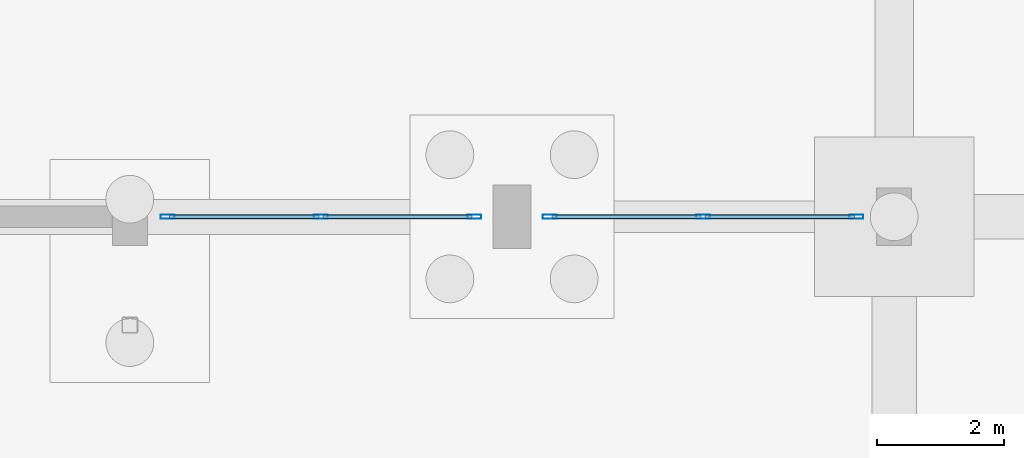
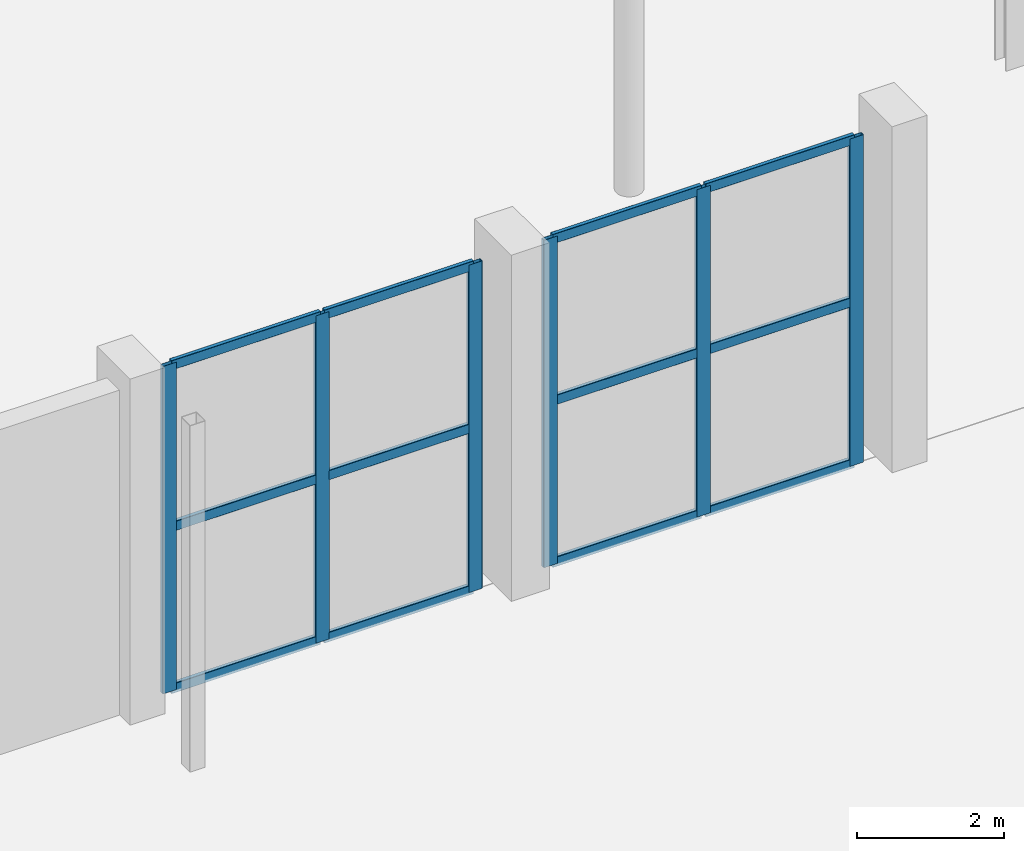
# One storey, part 47 of 103: 18 members, 2 elements without a shape of their own.
"""IFC4 building model written with IfcOpenShell, lengths in metres."""

from ifc_helpers import new_model, si_unit, direction, frame, origin, origin_2d, place, context, subcontext, project, spatial, hollow_rectangle, extrude, material, layer, layer_set, material_profile, profile_set, type_object, element, aggregate, save


model = new_model("IFC4")

# Units and contexts
model_context = context("Model", 3, precision=1e-05, world=origin(), true_north=direction((0.0, 1.0)))
body_context = subcontext(model_context, "Body", "Model", "MODEL_VIEW")
ifc_project = project(units=[si_unit("LENGTHUNIT", "METRE"), si_unit("AREAUNIT", "SQUARE_METRE"), si_unit("VOLUMEUNIT", "CUBIC_METRE"), si_unit("PLANEANGLEUNIT", "RADIAN"), si_unit("MASSUNIT", "GRAM", prefix="KILO")], contexts=[model_context])

# Site, building, storey
site_placement = place(None, origin())
site = spatial("IfcSite", under=ifc_project, at=site_placement, CompositionType="ELEMENT")
building_placement = place(site_placement, origin())
building = spatial("IfcBuilding", under=site, at=building_placement, Name="Dunvalen Ferry Terminal", CompositionType="ELEMENT")
storey_placement = place(building_placement, origin())
storey = spatial("IfcBuildingStorey", under=building, at=storey_placement, Name="L00", CompositionType="ELEMENT", Elevation=0.0)

# Curtain wall, members
ifc_material_1 = material(Name="Anodised marine aluminium and solar-control glazing", Category="aluminium")
ifc_layer = layer(ifc_material_1, 0.219970703125, Name="Anodised marine aluminium and solar-control glazing")
ifc_layer_set = layer_set([ifc_layer], Name="Anodised marine aluminium and solar-control glazing")
curtain_wall_type = type_object("IfcCurtainWallType", Name="ENV-CW-SYS-01", PredefinedType="NOTDEFINED", material=ifc_layer_set)
curtain_wall_1_placement = place(storey_placement, origin())
curtain_wall_1 = element("IfcCurtainWall", 1, at=curtain_wall_1_placement, inside=storey, type_object=curtain_wall_type, Name="L00 Curtain Wall CW-V1S-L00-06", PredefinedType="NOTDEFINED")
ifc_material_2 = material(Name="Anodised marine aluminium EN AW-6063 T6", Category="aluminium")
ifc_material_profile_1 = material_profile(ifc_material_2, hollow_rectangle(XDim=0.06494140625, YDim=0.219970703125, WallThickness=0.00390625, InnerFilletRadius=0.00390625, OuterFilletRadius=0.008056640625, at=origin_2d()), Name="Anodised marine aluminium EN AW-6063 T6")
ifc_profile_set_1 = profile_set([ifc_material_profile_1], Name="Anodised marine aluminium EN AW-6063 T6")
member_type_1 = type_object("IfcMemberType", Name="ENV-CW-MUL-1", PredefinedType="MULLION", material=ifc_profile_set_1)
member_1_placement = place(storey_placement, frame((66.592529296875, 50.39990234375, 0.0), z_axis=(0.0, 0.0, 1.0), x_axis=(0.0, 1.0, 0.0)))
member_1 = element("IfcMember", 2, at=member_1_placement, type_object=member_type_1, Name="CW-01 mullion 1", PredefinedType="MULLION", context=body_context, shape_type="SweptSolid", body=[
    extrude(hollow_rectangle(XDim=0.06494140625, YDim=0.219970703125, WallThickness=0.00390625, InnerFilletRadius=0.00390625, OuterFilletRadius=0.008056640625, at=origin_2d()), origin(), (0.0, 0.0, 1.0), 5.449951171875),
])
member_2_placement = place(storey_placement, frame((69.0, 50.39990234375, 0.0), z_axis=(0.0, 0.0, 1.0), x_axis=(0.0, 1.0, 0.0)))
member_2 = element("IfcMember", 3, at=member_2_placement, type_object=member_type_1, Name="CW-01 mullion 2", PredefinedType="MULLION", context=body_context, shape_type="SweptSolid", body=[
    extrude(hollow_rectangle(XDim=0.06494140625, YDim=0.219970703125, WallThickness=0.00390625, InnerFilletRadius=0.00390625, OuterFilletRadius=0.008056640625, at=origin_2d()), origin(), (0.0, 0.0, 1.0), 5.449951171875),
])
member_3_placement = place(storey_placement, frame((71.407470703125, 50.39990234375, 0.0), z_axis=(0.0, 0.0, 1.0), x_axis=(0.0, 1.0, 0.0)))
member_3 = element("IfcMember", 4, at=member_3_placement, type_object=member_type_1, Name="CW-01 mullion 3", PredefinedType="MULLION", context=body_context, shape_type="SweptSolid", body=[
    extrude(hollow_rectangle(XDim=0.06494140625, YDim=0.219970703125, WallThickness=0.00390625, InnerFilletRadius=0.00390625, OuterFilletRadius=0.008056640625, at=origin_2d()), origin(), (0.0, 0.0, 1.0), 5.449951171875),
])

curtain_wall_2_placement = place(storey_placement, origin())
curtain_wall_2 = element("IfcCurtainWall", 5, at=curtain_wall_2_placement, inside=storey, type_object=curtain_wall_type, Name="L00 Curtain Wall CW-V1S-L00-07", PredefinedType="NOTDEFINED")
member_4_placement = place(storey_placement, frame((72.592529296875, 50.39990234375, 0.0), z_axis=(0.0, 0.0, 1.0), x_axis=(0.0, 1.0, 0.0)))
member_4 = element("IfcMember", 6, at=member_4_placement, type_object=member_type_1, Name="CW-01 mullion 1", PredefinedType="MULLION", context=body_context, shape_type="SweptSolid", body=[
    extrude(hollow_rectangle(XDim=0.06494140625, YDim=0.219970703125, WallThickness=0.00390625, InnerFilletRadius=0.00390625, OuterFilletRadius=0.008056640625, at=origin_2d()), origin(), (0.0, 0.0, 1.0), 5.449951171875),
])
member_5_placement = place(storey_placement, frame((75.0, 50.39990234375, 0.0), z_axis=(0.0, 0.0, 1.0), x_axis=(0.0, 1.0, 0.0)))
member_5 = element("IfcMember", 7, at=member_5_placement, type_object=member_type_1, Name="CW-01 mullion 2", PredefinedType="MULLION", context=body_context, shape_type="SweptSolid", body=[
    extrude(hollow_rectangle(XDim=0.06494140625, YDim=0.219970703125, WallThickness=0.00390625, InnerFilletRadius=0.00390625, OuterFilletRadius=0.008056640625, at=origin_2d()), origin(), (0.0, 0.0, 1.0), 5.449951171875),
])
member_6_placement = place(storey_placement, frame((77.407470703125, 50.39990234375, 0.0), z_axis=(0.0, 0.0, 1.0), x_axis=(0.0, 1.0, 0.0)))
member_6 = element("IfcMember", 8, at=member_6_placement, type_object=member_type_1, Name="CW-01 mullion 3", PredefinedType="MULLION", context=body_context, shape_type="SweptSolid", body=[
    extrude(hollow_rectangle(XDim=0.06494140625, YDim=0.219970703125, WallThickness=0.00390625, InnerFilletRadius=0.00390625, OuterFilletRadius=0.008056640625, at=origin_2d()), origin(), (0.0, 0.0, 1.0), 5.449951171875),
])

# Member
ifc_material_profile_2 = material_profile(ifc_material_2, hollow_rectangle(XDim=0.06494140625, YDim=0.159912109375, WallThickness=0.00341796875, InnerFilletRadius=0.00341796875, OuterFilletRadius=0.007080078125, at=origin_2d()), Name="Anodised marine aluminium EN AW-6063 T6")
ifc_profile_set_2 = profile_set([ifc_material_profile_2], Name="Anodised marine aluminium EN AW-6063 T6")
member_type_2 = type_object("IfcMemberType", Name="ENV-CW-TRN-1", PredefinedType="USERDEFINED", material=ifc_profile_set_2)
member_7_placement = place(storey_placement, frame((66.625, 50.39990234375, 0.032470703125), z_axis=(1.0, 0.0, 0.0), x_axis=(0.0, 1.0, 0.0)))
member_7 = element("IfcMember", 9, at=member_7_placement, type_object=member_type_2, Name="CW-01 transom 1.1", ObjectType="TRANSOM", PredefinedType="USERDEFINED", context=body_context, shape_type="SweptSolid", body=[
    extrude(hollow_rectangle(XDim=0.06494140625, YDim=0.159912109375, WallThickness=0.00341796875, InnerFilletRadius=0.00341796875, OuterFilletRadius=0.007080078125, at=origin_2d()), origin(), (0.0, 0.0, 1.0), 2.342529296875),
])

member_8_placement = place(storey_placement, frame((66.625, 50.39990234375, 2.72509765625), z_axis=(1.0, 0.0, 0.0), x_axis=(0.0, 1.0, 0.0)))
member_8 = element("IfcMember", 10, at=member_8_placement, type_object=member_type_2, Name="CW-01 transom 1.2", ObjectType="TRANSOM", PredefinedType="USERDEFINED", context=body_context, shape_type="SweptSolid", body=[
    extrude(hollow_rectangle(XDim=0.06494140625, YDim=0.159912109375, WallThickness=0.00341796875, InnerFilletRadius=0.00341796875, OuterFilletRadius=0.007080078125, at=origin_2d()), origin(), (0.0, 0.0, 1.0), 2.342529296875),
])

member_9_placement = place(storey_placement, frame((66.625, 50.39990234375, 5.41748046875), z_axis=(1.0, 0.0, 0.0), x_axis=(0.0, 1.0, 0.0)))
member_9 = element("IfcMember", 11, at=member_9_placement, type_object=member_type_2, Name="CW-01 transom 1.3", ObjectType="TRANSOM", PredefinedType="USERDEFINED", context=body_context, shape_type="SweptSolid", body=[
    extrude(hollow_rectangle(XDim=0.06494140625, YDim=0.159912109375, WallThickness=0.00341796875, InnerFilletRadius=0.00341796875, OuterFilletRadius=0.007080078125, at=origin_2d()), origin(), (0.0, 0.0, 1.0), 2.342529296875),
])

member_10_placement = place(storey_placement, frame((69.032470703125, 50.39990234375, 0.032470703125), z_axis=(1.0, 0.0, 0.0), x_axis=(0.0, 1.0, 0.0)))
member_10 = element("IfcMember", 12, at=member_10_placement, type_object=member_type_2, Name="CW-01 transom 2.1", ObjectType="TRANSOM", PredefinedType="USERDEFINED", context=body_context, shape_type="SweptSolid", body=[
    extrude(hollow_rectangle(XDim=0.06494140625, YDim=0.159912109375, WallThickness=0.00341796875, InnerFilletRadius=0.00341796875, OuterFilletRadius=0.007080078125, at=origin_2d()), origin(), (0.0, 0.0, 1.0), 2.342529296875),
])

member_11_placement = place(storey_placement, frame((69.032470703125, 50.39990234375, 2.72509765625), z_axis=(1.0, 0.0, 0.0), x_axis=(0.0, 1.0, 0.0)))
member_11 = element("IfcMember", 13, at=member_11_placement, type_object=member_type_2, Name="CW-01 transom 2.2", ObjectType="TRANSOM", PredefinedType="USERDEFINED", context=body_context, shape_type="SweptSolid", body=[
    extrude(hollow_rectangle(XDim=0.06494140625, YDim=0.159912109375, WallThickness=0.00341796875, InnerFilletRadius=0.00341796875, OuterFilletRadius=0.007080078125, at=origin_2d()), origin(), (0.0, 0.0, 1.0), 2.342529296875),
])

member_12_placement = place(storey_placement, frame((69.032470703125, 50.39990234375, 5.41748046875), z_axis=(1.0, 0.0, 0.0), x_axis=(0.0, 1.0, 0.0)))
member_12 = element("IfcMember", 14, at=member_12_placement, type_object=member_type_2, Name="CW-01 transom 2.3", ObjectType="TRANSOM", PredefinedType="USERDEFINED", context=body_context, shape_type="SweptSolid", body=[
    extrude(hollow_rectangle(XDim=0.06494140625, YDim=0.159912109375, WallThickness=0.00341796875, InnerFilletRadius=0.00341796875, OuterFilletRadius=0.007080078125, at=origin_2d()), origin(), (0.0, 0.0, 1.0), 2.342529296875),
])

aggregate(curtain_wall_1, [member_1, member_2, member_3, member_7, member_8, member_9, member_10, member_11, member_12])

member_13_placement = place(storey_placement, frame((72.625, 50.39990234375, 0.032470703125), z_axis=(1.0, 0.0, 0.0), x_axis=(0.0, 1.0, 0.0)))
member_13 = element("IfcMember", 15, at=member_13_placement, type_object=member_type_2, Name="CW-01 transom 1.1", ObjectType="TRANSOM", PredefinedType="USERDEFINED", context=body_context, shape_type="SweptSolid", body=[
    extrude(hollow_rectangle(XDim=0.06494140625, YDim=0.159912109375, WallThickness=0.00341796875, InnerFilletRadius=0.00341796875, OuterFilletRadius=0.007080078125, at=origin_2d()), origin(), (0.0, 0.0, 1.0), 2.342529296875),
])

member_14_placement = place(storey_placement, frame((72.625, 50.39990234375, 2.72509765625), z_axis=(1.0, 0.0, 0.0), x_axis=(0.0, 1.0, 0.0)))
member_14 = element("IfcMember", 16, at=member_14_placement, type_object=member_type_2, Name="CW-01 transom 1.2", ObjectType="TRANSOM", PredefinedType="USERDEFINED", context=body_context, shape_type="SweptSolid", body=[
    extrude(hollow_rectangle(XDim=0.06494140625, YDim=0.159912109375, WallThickness=0.00341796875, InnerFilletRadius=0.00341796875, OuterFilletRadius=0.007080078125, at=origin_2d()), origin(), (0.0, 0.0, 1.0), 2.342529296875),
])

member_15_placement = place(storey_placement, frame((72.625, 50.39990234375, 5.41748046875), z_axis=(1.0, 0.0, 0.0), x_axis=(0.0, 1.0, 0.0)))
member_15 = element("IfcMember", 17, at=member_15_placement, type_object=member_type_2, Name="CW-01 transom 1.3", ObjectType="TRANSOM", PredefinedType="USERDEFINED", context=body_context, shape_type="SweptSolid", body=[
    extrude(hollow_rectangle(XDim=0.06494140625, YDim=0.159912109375, WallThickness=0.00341796875, InnerFilletRadius=0.00341796875, OuterFilletRadius=0.007080078125, at=origin_2d()), origin(), (0.0, 0.0, 1.0), 2.342529296875),
])

member_16_placement = place(storey_placement, frame((75.032470703125, 50.39990234375, 0.032470703125), z_axis=(1.0, 0.0, 0.0), x_axis=(0.0, 1.0, 0.0)))
member_16 = element("IfcMember", 18, at=member_16_placement, type_object=member_type_2, Name="CW-01 transom 2.1", ObjectType="TRANSOM", PredefinedType="USERDEFINED", context=body_context, shape_type="SweptSolid", body=[
    extrude(hollow_rectangle(XDim=0.06494140625, YDim=0.159912109375, WallThickness=0.00341796875, InnerFilletRadius=0.00341796875, OuterFilletRadius=0.007080078125, at=origin_2d()), origin(), (0.0, 0.0, 1.0), 2.342529296875),
])

member_17_placement = place(storey_placement, frame((75.032470703125, 50.39990234375, 2.72509765625), z_axis=(1.0, 0.0, 0.0), x_axis=(0.0, 1.0, 0.0)))
member_17 = element("IfcMember", 19, at=member_17_placement, type_object=member_type_2, Name="CW-01 transom 2.2", ObjectType="TRANSOM", PredefinedType="USERDEFINED", context=body_context, shape_type="SweptSolid", body=[
    extrude(hollow_rectangle(XDim=0.06494140625, YDim=0.159912109375, WallThickness=0.00341796875, InnerFilletRadius=0.00341796875, OuterFilletRadius=0.007080078125, at=origin_2d()), origin(), (0.0, 0.0, 1.0), 2.342529296875),
])

member_18_placement = place(storey_placement, frame((75.032470703125, 50.39990234375, 5.41748046875), z_axis=(1.0, 0.0, 0.0), x_axis=(0.0, 1.0, 0.0)))
member_18 = element("IfcMember", 20, at=member_18_placement, type_object=member_type_2, Name="CW-01 transom 2.3", ObjectType="TRANSOM", PredefinedType="USERDEFINED", context=body_context, shape_type="SweptSolid", body=[
    extrude(hollow_rectangle(XDim=0.06494140625, YDim=0.159912109375, WallThickness=0.00341796875, InnerFilletRadius=0.00341796875, OuterFilletRadius=0.007080078125, at=origin_2d()), origin(), (0.0, 0.0, 1.0), 2.342529296875),
])

aggregate(curtain_wall_2, [member_4, member_5, member_6, member_13, member_14, member_15, member_16, member_17, member_18])

save(model, "model.ifc")
